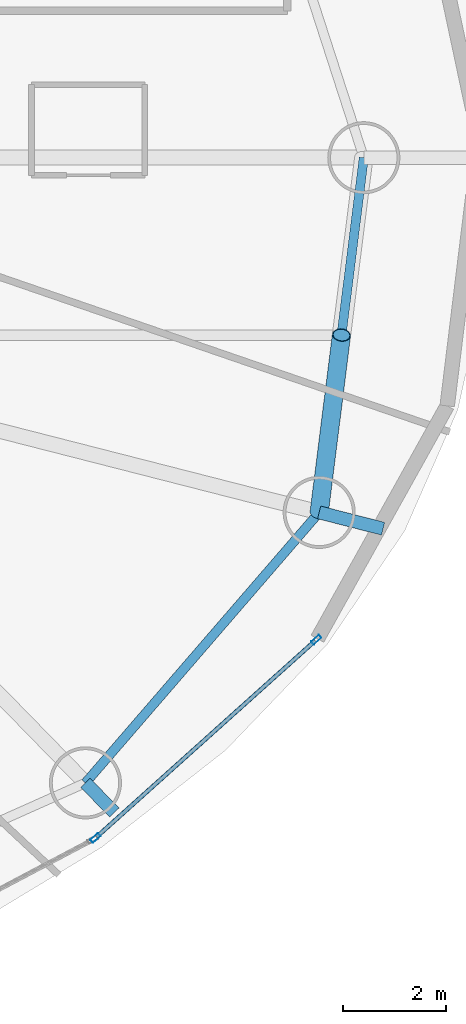
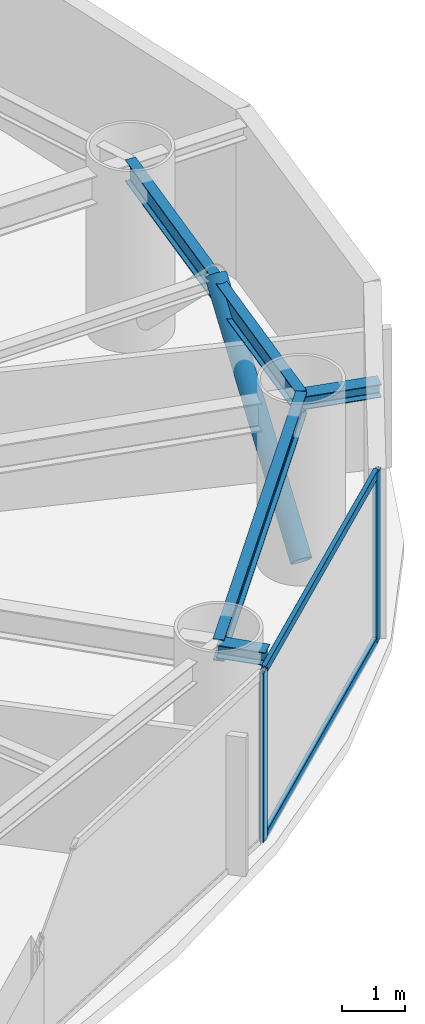
# One storey, part 5 of 20: 5 members, 4 beams, 1 element without a shape of its own.
"""IFC4 building model written with IfcOpenShell, lengths in metres."""

import ifcopenshell
import ifcopenshell.guid

model = None  # the IFC model being written
_history = None  # IfcOwnerHistory: only IFC2X3 demands one
_inside = {}  # id of a spatial element -> (the spatial element, [elements in it])
_under = {}  # id of a project, library or spatial element -> (it, [spatial elements below it])
_declared = {}  # id of a project -> (the project, [libraries it declares])
_typed = {}  # id of a type object -> (the type object, [elements of that type])
_made_of = {}  # id of a material, layer set ... -> (it, [elements and type objects made of it])


def new_model(schema):
    """Start an empty IFC model of exactly this schema.

    Asked for "IFC4X3", IfcOpenShell would pick the latest addendum, in which some entities
    have other attributes; the version numbers below select the first issue.
    IFC2X3 requires an IfcOwnerHistory on every rooted entity: one is made here for all.
    """
    global model, _history
    if schema == "IFC4X3":
        model = ifcopenshell.file(schema_version=(4, 3, 0, 0))
    else:
        model = ifcopenshell.file(schema=schema)
    _inside.clear()
    _under.clear()
    _declared.clear()
    _typed.clear()
    _made_of.clear()
    _history = None
    if model.schema == "IFC2X3":
        org = make("IfcOrganization", Name="unknown")
        user = make(
            "IfcPersonAndOrganization",
            ThePerson=make("IfcPerson", FamilyName="unknown"),
            TheOrganization=org,
        )
        app = make(
            "IfcApplication",
            ApplicationDeveloper=org,
            Version="unknown",
            ApplicationFullName="unknown",
            ApplicationIdentifier="unknown",
        )
        _history = make(
            "IfcOwnerHistory",
            OwningUser=user,
            OwningApplication=app,
            ChangeAction="ADDED",
            CreationDate=0,
        )
    return model


def make(cls, **values):
    """One entity of the class cls with the attributes given. An attribute that is None is left unset."""
    return model.create_entity(
        cls, **{name: value for name, value in values.items() if value is not None}
    )


def rooted(cls, **values):
    """An entity with a GlobalId (a new one), such as an element, a storey or a relation."""
    return make(cls, GlobalId=ifcopenshell.guid.new(), OwnerHistory=_history, **values)


def si_unit(unit_type, name, prefix=None):
    """IfcSIUnit, for example si_unit("LENGTHUNIT", "METRE", prefix="MILLI")."""
    return make("IfcSIUnit", UnitType=unit_type, Prefix=prefix, Name=name)


def assignment(units):
    """IfcUnitAssignment: the units of a project."""
    return None if units is None else make("IfcUnitAssignment", Units=units)


def point(xyz):
    """IfcCartesianPoint."""
    return None if xyz is None else make("IfcCartesianPoint", Coordinates=xyz)


def direction(xyz):
    """IfcDirection."""
    return None if xyz is None else make("IfcDirection", DirectionRatios=xyz)


def frame(location, z_axis=None, x_axis=None):
    """IfcAxis2Placement3D, a coordinate frame: its origin and axes. An axis left out is left unset."""
    return make(
        "IfcAxis2Placement3D",
        Location=point(location),
        Axis=direction(z_axis),
        RefDirection=direction(x_axis),
    )


def frame_2d(location, x_axis=None):
    """IfcAxis2Placement2D, a coordinate frame in the plane: its origin and x axis."""
    return make(
        "IfcAxis2Placement2D", Location=point(location), RefDirection=direction(x_axis)
    )


def origin():
    """The frame at (0, 0, 0) with its axes left unset."""
    return frame((0.0, 0.0, 0.0))


def origin_2d():
    """The frame at (0, 0) in the plane with its x axis left unset."""
    return frame_2d((0.0, 0.0))


def place(relative_to, where):
    """IfcLocalPlacement: puts the frame where relative to a parent placement (None: the world)."""
    return make(
        "IfcLocalPlacement", PlacementRelTo=relative_to, RelativePlacement=where
    )


def context(
    kind, dimensions, precision=None, world=None, true_north=None, identifier=None
):
    """IfcGeometricRepresentationContext, for example the 3D "Model" context."""
    return make(
        "IfcGeometricRepresentationContext",
        ContextIdentifier=identifier,
        ContextType=kind,
        CoordinateSpaceDimension=dimensions,
        Precision=precision,
        WorldCoordinateSystem=world,
        TrueNorth=true_north,
    )


def subcontext(parent, identifier, kind, view, scale=None):
    """IfcGeometricRepresentationSubContext, for example "Body" below "Model"."""
    return make(
        "IfcGeometricRepresentationSubContext",
        ContextIdentifier=identifier,
        ContextType=kind,
        ParentContext=parent,
        TargetScale=scale,
        TargetView=view,
    )


def project(units=None, contexts=None):
    """IfcProject with its units and contexts."""
    return rooted(
        "IfcProject",
        Name="project",
        RepresentationContexts=contexts,
        UnitsInContext=assignment(units),
    )


def spatial(cls, under=None, at=None, **own):
    """A site, building, storey or space (cls), placed at a placement, below another one or the project."""
    s = rooted(cls, ObjectPlacement=at, **own)
    if under is not None:
        _under.setdefault(under.id(), (under, []))[1].append(s)
    return s


def profile(cls, at=None, kind="AREA", **sizes):
    """A parametric profile (cls). Its sizes go by their IFC names, for example OverallWidth=200.0."""
    return make(cls, ProfileType=kind, Position=at, **sizes)


def hollow_rectangle(**sizes):
    """IfcRectangleHollowProfileDef."""
    return profile("IfcRectangleHollowProfileDef", **sizes)


def hollow_circle(**sizes):
    """IfcCircleHollowProfileDef."""
    return profile("IfcCircleHollowProfileDef", **sizes)


def i_section(**sizes):
    """IfcIShapeProfileDef."""
    return profile("IfcIShapeProfileDef", **sizes)


def extrude(swept, where, along, depth):
    """IfcExtrudedAreaSolid: the profile swept, set in the frame where, extruded along a direction by depth."""
    return make(
        "IfcExtrudedAreaSolid",
        SweptArea=swept,
        Position=where,
        ExtrudedDirection=direction(along),
        Depth=depth,
    )


def shape(context_of_items, identifier, shape_type, items):
    """IfcShapeRepresentation: the items that make up one representation, for example the "Body"."""
    return make(
        "IfcShapeRepresentation",
        ContextOfItems=context_of_items,
        RepresentationIdentifier=identifier,
        RepresentationType=shape_type,
        Items=items,
    )


def material(Name=None, Category=None):
    """IfcMaterial."""
    return make("IfcMaterial", Name=Name, Category=Category)


def layer(
    of_material, thickness, ventilated=None, Name=None, Category=None, Priority=None
):
    """IfcMaterialLayer: one layer of a wall or slab, of a material (None: an air gap)."""
    return make(
        "IfcMaterialLayer",
        Material=of_material,
        LayerThickness=thickness,
        IsVentilated=ventilated,
        Name=Name,
        Category=Category,
        Priority=Priority,
    )


def layer_set(layers, Name=None):
    """IfcMaterialLayerSet."""
    return make("IfcMaterialLayerSet", MaterialLayers=layers, LayerSetName=Name)


def material_profile(
    of_material, cross_section, Name=None, Category=None, Priority=None
):
    """IfcMaterialProfile: a cross section and its material."""
    return make(
        "IfcMaterialProfile",
        Name=Name,
        Material=of_material,
        Profile=cross_section,
        Priority=Priority,
        Category=Category,
    )


def profile_set(profiles, Name=None, composite=None):
    """IfcMaterialProfileSet."""
    return make(
        "IfcMaterialProfileSet",
        Name=Name,
        MaterialProfiles=profiles,
        CompositeProfile=composite,
    )


def made_of(thing, what):
    """Note that an element or type object is made of a material, layer set ...; save() writes the relation."""
    if what is not None:
        _made_of.setdefault(what.id(), (what, []))[1].append(thing)
    return thing


def type_object(cls, material=None, **own):
    """A type object (cls), such as IfcWallType, which elements share."""
    return made_of(rooted(cls, **own), material)


def element(
    cls,
    number,
    at=None,
    inside=None,
    cuts=None,
    type_object=None,
    material=None,
    context=None,
    identifier="Body",
    shape_type=None,
    held_by="IfcProductDefinitionShape",
    body=None,
    shapes=None,
    **own,
):
    """One element of the class cls, such as IfcWall. Its Tag is "e" and its number.

    at: its placement. inside: the storey or other place that contains it. cuts: it is an
    opening in that element (IfcRelVoidsElement). A single representation is given by context,
    identifier, shape_type and body (its items); several are given by shapes. held_by: the class
    of the entity that holds the representations. save() writes the other relations.
    """
    e = rooted(cls, Tag="e%d" % number, ObjectPlacement=at, **own)
    if body is not None:
        shapes = [shape(context, identifier, shape_type, body)]
    if shapes is not None:
        e.Representation = make(held_by, Representations=shapes)
    if inside is not None:
        _inside.setdefault(inside.id(), (inside, []))[1].append(e)
    if cuts is not None:
        rooted(
            "IfcRelVoidsElement", RelatingBuildingElement=cuts, RelatedOpeningElement=e
        )
    if type_object is not None:
        _typed.setdefault(type_object.id(), (type_object, []))[1].append(e)
    return made_of(e, material)


def aggregate(whole, parts):
    """IfcRelAggregates: a whole, such as a stair, and the parts it consists of."""
    return rooted("IfcRelAggregates", RelatingObject=whole, RelatedObjects=parts)


def save(model, path):
    """Write the relations noted so far, then the file.

    IfcRelAggregates (storeys below a building ...), IfcRelContainedInSpatialStructure (elements
    in a storey), IfcRelDefinesByType, IfcRelAssociatesMaterial and IfcRelDeclares: one each for
    every whole, place, type object, material and project.
    """
    for whole, parts in _under.values():
        aggregate(whole, parts)
    for where, things in _inside.values():
        rooted(
            "IfcRelContainedInSpatialStructure",
            RelatedElements=things,
            RelatingStructure=where,
        )
    for kind, things in _typed.values():
        rooted("IfcRelDefinesByType", RelatedObjects=things, RelatingType=kind)
    for what, things in _made_of.values():
        rooted("IfcRelAssociatesMaterial", RelatedObjects=things, RelatingMaterial=what)
    for by, libraries in _declared.values():
        rooted("IfcRelDeclares", RelatingContext=by, RelatedDefinitions=libraries)
    model.write(path)


model = new_model("IFC4")

# Units and contexts
model_context = context("Model", 3, precision=1e-05, world=origin(), true_north=direction((0.0, 1.0)))
body_context = subcontext(model_context, "Body", "Model", "MODEL_VIEW")
ifc_project = project(units=[si_unit("LENGTHUNIT", "METRE"), si_unit("AREAUNIT", "SQUARE_METRE"), si_unit("VOLUMEUNIT", "CUBIC_METRE"), si_unit("PLANEANGLEUNIT", "RADIAN"), si_unit("MASSUNIT", "GRAM", prefix="KILO")], contexts=[model_context])

# Site, building, storey
site_placement = place(None, origin())
site = spatial("IfcSite", under=ifc_project, at=site_placement, CompositionType="ELEMENT")
building_placement = place(site_placement, origin())
building = spatial("IfcBuilding", under=site, at=building_placement, Name="Bramvorn Convention Spire", CompositionType="ELEMENT")
storey_placement = place(building_placement, frame((0.0, 0.0, 106.300048828125)))
storey = spatial("IfcBuildingStorey", under=building, at=storey_placement, Name="L25", CompositionType="ELEMENT", Elevation=106.300048828125)

# Beams
ifc_material_1 = material(Name="Steel CSA G40.21 Grade 350 (350W)", Category="steel")
ifc_material_profile_1 = material_profile(ifc_material_1, i_section(OverallWidth=0.25390625, OverallDepth=0.2529296875, WebThickness=0.008544921875, FlangeThickness=0.01416015625, FilletRadius=0.011962890625, at=origin_2d()))
ifc_profile_set_1 = profile_set([ifc_material_profile_1], Name="Steel CSA G40.21 Grade 350 (350W) - W250X73")
beam_type_1 = type_object("IfcBeamType", Name="BM-W250X73", PredefinedType="BEAM", material=ifc_profile_set_1)
beam_1_placement = place(storey_placement, frame((62.11767578125, 15.26220703125, 3.1083984375), z_axis=(0.968849562311, -0.247650006278, 0.0), x_axis=(0.247650006278, 0.968849562311, 0.0)))
element("IfcBeam", 1, at=beam_1_placement, inside=storey, type_object=beam_type_1, Name="L25 slab-edge cantilever tip beam MC01", PredefinedType="BEAM", context=body_context, shape_type="SweptSolid", body=[
    extrude(i_section(OverallWidth=0.25390625, OverallDepth=0.2529296875, WebThickness=0.008544921875, FlangeThickness=0.01416015625, FilletRadius=0.011962890625, at=origin_2d()), origin(), (0.0, 0.0, 1.0), 1.279541015625),
])
beam_2_placement = place(storey_placement, frame((57.579833984375, 10.0107421875, 3.1083984375), z_axis=(0.698244146474, -0.715859701279, 0.0), x_axis=(0.715859701279, 0.698244146474, 0.0)))
element("IfcBeam", 2, at=beam_2_placement, inside=storey, type_object=beam_type_1, Name="L25 slab-edge cantilever tip beam MC16", PredefinedType="BEAM", context=body_context, shape_type="SweptSolid", body=[
    extrude(i_section(OverallWidth=0.25390625, OverallDepth=0.2529296875, WebThickness=0.008544921875, FlangeThickness=0.01416015625, FilletRadius=0.011962890625, at=origin_2d()), origin(), (0.0, 0.0, 1.0), 0.803955078125),
])
ifc_material_profile_2 = material_profile(ifc_material_1, i_section(OverallWidth=0.180908203125, OverallDepth=0.4169921875, WebThickness=0.010986328125, FlangeThickness=0.018310546875, FilletRadius=0.01611328125, at=origin_2d()))
ifc_profile_set_2 = profile_set([ifc_material_profile_2], Name="Steel CSA G40.21 Grade 350 (350W) - W410X85")
beam_type_2 = type_object("IfcBeamType", Name="BM-W410X85", PredefinedType="JOIST", material=ifc_profile_set_2)
beam_3_placement = place(storey_placement, frame((62.11767578125, 15.26220703125, 3.051513671875), z_axis=(0.124775053879, 0.992185056292, 0.0), x_axis=(-0.992185056292, 0.124775053879, 0.0)))
element("IfcBeam", 3, at=beam_3_placement, inside=storey, type_object=beam_type_2, Name="L25 mega-column ring beam 01", PredefinedType="JOIST", context=body_context, shape_type="SweptSolid", body=[
    extrude(i_section(OverallWidth=0.180908203125, OverallDepth=0.4169921875, WebThickness=0.010986328125, FlangeThickness=0.018310546875, FilletRadius=0.01611328125, at=origin_2d()), origin(), (0.0, 0.0, 1.0), 6.940185546875),
])
beam_4_placement = place(storey_placement, frame((57.579833984375, 10.0107421875, 3.051513671875), z_axis=(0.653824993824, 0.756645807132, 0.0), x_axis=(-0.756645807132, 0.653824993824, 0.0)))
element("IfcBeam", 4, at=beam_4_placement, inside=storey, type_object=beam_type_2, Name="L25 mega-column ring beam 16", PredefinedType="JOIST", context=body_context, shape_type="SweptSolid", body=[
    extrude(i_section(OverallWidth=0.180908203125, OverallDepth=0.4169921875, WebThickness=0.010986328125, FlangeThickness=0.018310546875, FilletRadius=0.01611328125, at=origin_2d()), origin(), (0.0, 0.0, 1.0), 6.9404296875),
])

# Curtain wall, members
ifc_material_2 = material(Name="Anodised Bronze Unitised Curtain Wall", Category="aluminium")
ifc_layer = layer(ifc_material_2, 0.179931640625)
ifc_layer_set = layer_set([ifc_layer], Name="Anodised Bronze Unitised Curtain Wall - CW-HTL-FRIT")
curtain_wall_type = type_object("IfcCurtainWallType", Name="CW-HTL-FRIT", PredefinedType="USERDEFINED", material=ifc_layer_set)
curtain_wall_placement = place(storey_placement, origin())
curtain_wall = element("IfcCurtainWall", 5, at=curtain_wall_placement, inside=storey, type_object=curtain_wall_type, Name="L25 fritted glass curtain wall 23", ObjectType="UNITISED CURTAIN WALL", PredefinedType="USERDEFINED")
ifc_material_3 = material(Name="Anodised Bronze Aluminium 6063-T6", Category="aluminium")
ifc_material_profile_3 = material_profile(ifc_material_3, hollow_rectangle(XDim=0.080078125, YDim=0.199951171875, WallThickness=0.00390625, InnerFilletRadius=0.0009765625, OuterFilletRadius=0.00390625, at=origin_2d()))
ifc_profile_set_3 = profile_set([ifc_material_profile_3], Name="Anodised Bronze Aluminium 6063-T6 - CWM80X200")
member_type_1 = type_object("IfcMemberType", Name="CW-MUL-180", PredefinedType="MULLION", material=ifc_profile_set_3)
member_1_placement = place(storey_placement, frame((62.06201171875, 12.79052734375, 0.0), z_axis=(0.0, 0.0, 1.0), x_axis=(0.66793364502, -0.744220831373, 0.0)))
member_1 = element("IfcMember", 6, at=member_1_placement, type_object=member_type_1, Name="CW2 mullion 1", PredefinedType="MULLION", context=body_context, shape_type="SweptSolid", body=[
    extrude(hollow_rectangle(XDim=0.080078125, YDim=0.199951171875, WallThickness=0.00390625, InnerFilletRadius=0.0009765625, OuterFilletRadius=0.00390625, at=origin_2d()), origin(), (0.0, 0.0, 1.0), 3.260009765625),
])
member_2_placement = place(storey_placement, frame((57.773193359375, 8.94140625, 0.0), z_axis=(0.0, 0.0, 1.0), x_axis=(0.66793364502, -0.744220831373, 0.0)))
member_2 = element("IfcMember", 7, at=member_2_placement, type_object=member_type_1, Name="CW2 mullion 2", PredefinedType="MULLION", context=body_context, shape_type="SweptSolid", body=[
    extrude(hollow_rectangle(XDim=0.080078125, YDim=0.199951171875, WallThickness=0.00390625, InnerFilletRadius=0.0009765625, OuterFilletRadius=0.00390625, at=origin_2d()), origin(), (0.0, 0.0, 1.0), 3.260009765625),
])
ifc_material_profile_4 = material_profile(ifc_material_3, hollow_rectangle(XDim=0.080078125, YDim=0.159912109375, WallThickness=0.00390625, InnerFilletRadius=0.0009765625, OuterFilletRadius=0.00390625, at=origin_2d()))
ifc_profile_set_4 = profile_set([ifc_material_profile_4], Name="Anodised Bronze Aluminium 6063-T6 - CWT80X160")
member_type_2 = type_object("IfcMemberType", Name="CW-TRN-150", PredefinedType="USERDEFINED", material=ifc_profile_set_4)
member_3_placement = place(storey_placement, frame((62.03955078125, 12.7705078125, 0.030029296875), z_axis=(-0.744202448113, -0.667954127334, 0.0), x_axis=(0.667954127334, -0.744202448113, 0.0)))
member_3 = element("IfcMember", 8, at=member_3_placement, type_object=member_type_2, Name="CW2 transom 1.1", ObjectType="TRANSOM", PredefinedType="USERDEFINED", context=body_context, shape_type="SweptSolid", body=[
    extrude(hollow_rectangle(XDim=0.080078125, YDim=0.159912109375, WallThickness=0.00390625, InnerFilletRadius=0.0009765625, OuterFilletRadius=0.00390625, at=origin_2d()), origin(), (0.0, 0.0, 1.0), 5.70263671875),
])
member_4_placement = place(storey_placement, frame((62.03955078125, 12.7705078125, 3.22998046875), z_axis=(-0.744202448113, -0.667954127334, 0.0), x_axis=(0.667954127334, -0.744202448113, 0.0)))
member_4 = element("IfcMember", 9, at=member_4_placement, type_object=member_type_2, Name="CW2 transom 1.2", ObjectType="TRANSOM", PredefinedType="USERDEFINED", context=body_context, shape_type="SweptSolid", body=[
    extrude(hollow_rectangle(XDim=0.080078125, YDim=0.159912109375, WallThickness=0.00390625, InnerFilletRadius=0.0009765625, OuterFilletRadius=0.00390625, at=origin_2d()), origin(), (0.0, 0.0, 1.0), 5.70263671875),
])
aggregate(curtain_wall, [member_1, member_2, member_3, member_4])

# Member
ifc_material_profile_5 = material_profile(ifc_material_1, hollow_circle(Radius=0.177734375, WallThickness=0.015869140625, at=origin_2d()))
ifc_profile_set_5 = profile_set([ifc_material_profile_5], Name="Steel CSA G40.21 Grade 350 (350W) - CHS356X16")
member_type_3 = type_object("IfcMemberType", Name="MBR-CHS356X16", PredefinedType="BRACE", material=ifc_profile_set_5)
member_5_placement = place(storey_placement, frame((62.11767578125, 15.26220703125, 0.0), z_axis=(0.090912229428, 0.723144484842, 0.684687534999), x_axis=(-0.992189958039, 0.124736070028, 0.0)))
element("IfcMember", 10, at=member_5_placement, inside=storey, type_object=member_type_3, Name="L25 perimeter Gothic lancet brace 1A", PredefinedType="BRACE", context=body_context, shape_type="SweptSolid", body=[
    extrude(hollow_circle(Radius=0.177734375, WallThickness=0.015869140625, at=origin_2d()), origin(), (0.0, 0.0, 1.0), 4.76123046875),
])

save(model, "model.ifc")
